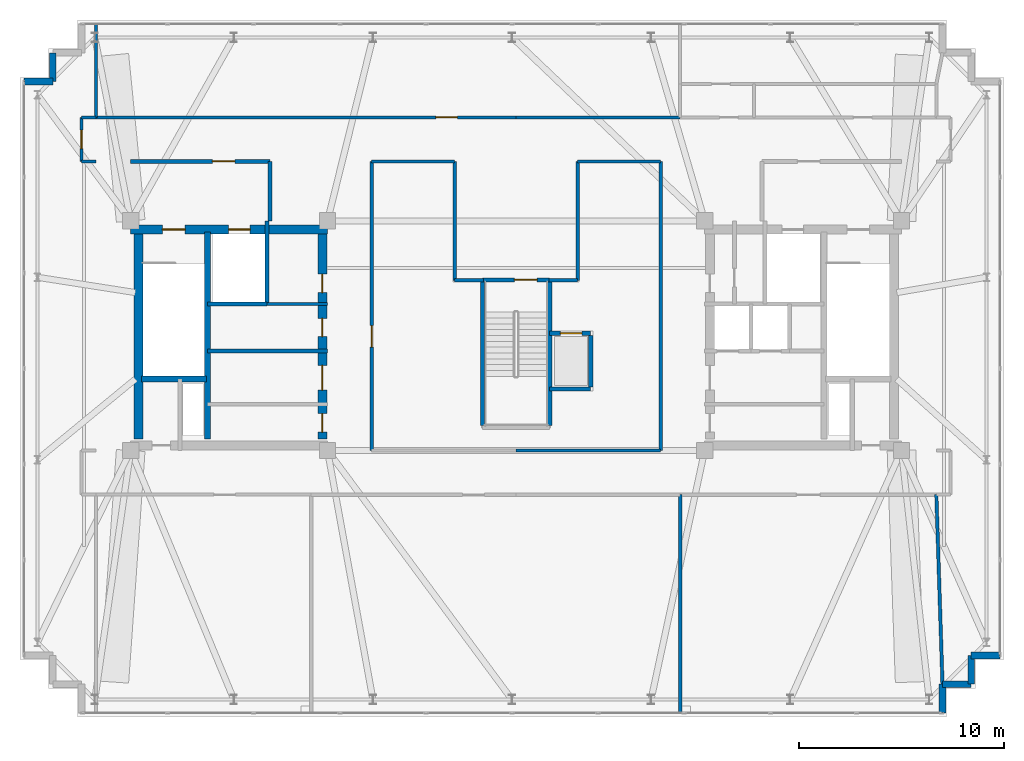
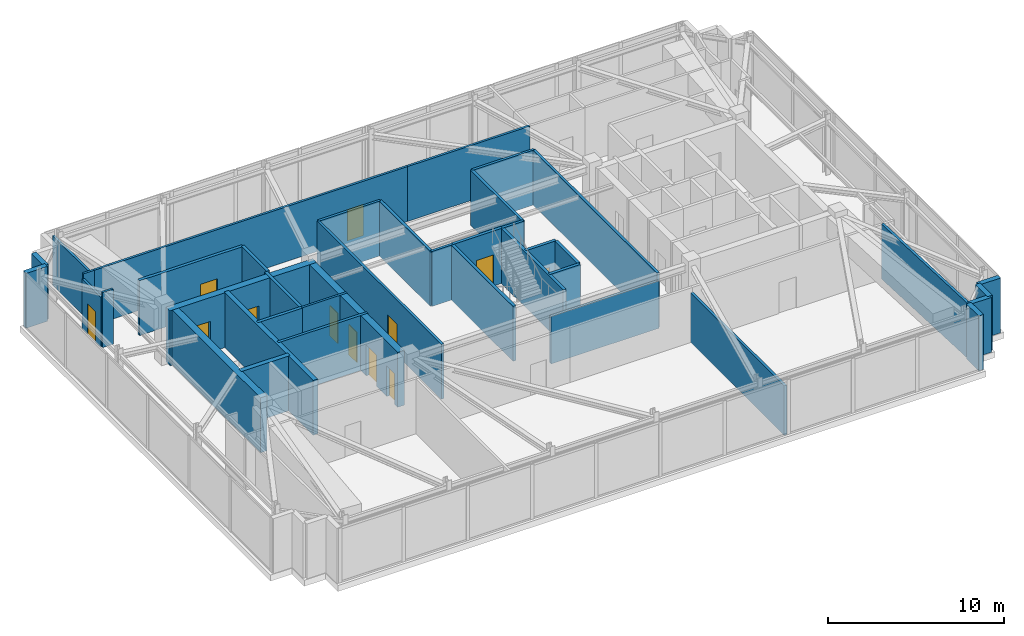
# One storey, part 22 of 27: 40 walls, 12 doors, 12 openings.
"""IFC4 building model written with IfcOpenShell, lengths in metres."""

import ifcopenshell
import ifcopenshell.guid

model = None  # the IFC model being written
_history = None  # IfcOwnerHistory: only IFC2X3 demands one
_inside = {}  # id of a spatial element -> (the spatial element, [elements in it])
_under = {}  # id of a project, library or spatial element -> (it, [spatial elements below it])
_declared = {}  # id of a project -> (the project, [libraries it declares])
_typed = {}  # id of a type object -> (the type object, [elements of that type])
_made_of = {}  # id of a material, layer set ... -> (it, [elements and type objects made of it])


def new_model(schema):
    """Start an empty IFC model of exactly this schema.

    Asked for "IFC4X3", IfcOpenShell would pick the latest addendum, in which some entities
    have other attributes; the version numbers below select the first issue.
    IFC2X3 requires an IfcOwnerHistory on every rooted entity: one is made here for all.
    """
    global model, _history
    if schema == "IFC4X3":
        model = ifcopenshell.file(schema_version=(4, 3, 0, 0))
    else:
        model = ifcopenshell.file(schema=schema)
    _inside.clear()
    _under.clear()
    _declared.clear()
    _typed.clear()
    _made_of.clear()
    _history = None
    if model.schema == "IFC2X3":
        org = make("IfcOrganization", Name="unknown")
        user = make(
            "IfcPersonAndOrganization",
            ThePerson=make("IfcPerson", FamilyName="unknown"),
            TheOrganization=org,
        )
        app = make(
            "IfcApplication",
            ApplicationDeveloper=org,
            Version="unknown",
            ApplicationFullName="unknown",
            ApplicationIdentifier="unknown",
        )
        _history = make(
            "IfcOwnerHistory",
            OwningUser=user,
            OwningApplication=app,
            ChangeAction="ADDED",
            CreationDate=0,
        )
    return model


def make(cls, **values):
    """One entity of the class cls with the attributes given. An attribute that is None is left unset."""
    return model.create_entity(
        cls, **{name: value for name, value in values.items() if value is not None}
    )


def rooted(cls, **values):
    """An entity with a GlobalId (a new one), such as an element, a storey or a relation."""
    return make(cls, GlobalId=ifcopenshell.guid.new(), OwnerHistory=_history, **values)


def si_unit(unit_type, name, prefix=None):
    """IfcSIUnit, for example si_unit("LENGTHUNIT", "METRE", prefix="MILLI")."""
    return make("IfcSIUnit", UnitType=unit_type, Prefix=prefix, Name=name)


def assignment(units):
    """IfcUnitAssignment: the units of a project."""
    return None if units is None else make("IfcUnitAssignment", Units=units)


def point(xyz):
    """IfcCartesianPoint."""
    return None if xyz is None else make("IfcCartesianPoint", Coordinates=xyz)


def direction(xyz):
    """IfcDirection."""
    return None if xyz is None else make("IfcDirection", DirectionRatios=xyz)


def frame(location, z_axis=None, x_axis=None):
    """IfcAxis2Placement3D, a coordinate frame: its origin and axes. An axis left out is left unset."""
    return make(
        "IfcAxis2Placement3D",
        Location=point(location),
        Axis=direction(z_axis),
        RefDirection=direction(x_axis),
    )


def frame_2d(location, x_axis=None):
    """IfcAxis2Placement2D, a coordinate frame in the plane: its origin and x axis."""
    return make(
        "IfcAxis2Placement2D", Location=point(location), RefDirection=direction(x_axis)
    )


def origin():
    """The frame at (0, 0, 0) with its axes left unset."""
    return frame((0.0, 0.0, 0.0))


def place(relative_to, where):
    """IfcLocalPlacement: puts the frame where relative to a parent placement (None: the world)."""
    return make(
        "IfcLocalPlacement", PlacementRelTo=relative_to, RelativePlacement=where
    )


def context(
    kind, dimensions, precision=None, world=None, true_north=None, identifier=None
):
    """IfcGeometricRepresentationContext, for example the 3D "Model" context."""
    return make(
        "IfcGeometricRepresentationContext",
        ContextIdentifier=identifier,
        ContextType=kind,
        CoordinateSpaceDimension=dimensions,
        Precision=precision,
        WorldCoordinateSystem=world,
        TrueNorth=true_north,
    )


def subcontext(parent, identifier, kind, view, scale=None):
    """IfcGeometricRepresentationSubContext, for example "Body" below "Model"."""
    return make(
        "IfcGeometricRepresentationSubContext",
        ContextIdentifier=identifier,
        ContextType=kind,
        ParentContext=parent,
        TargetScale=scale,
        TargetView=view,
    )


def project(units=None, contexts=None):
    """IfcProject with its units and contexts."""
    return rooted(
        "IfcProject",
        Name="project",
        RepresentationContexts=contexts,
        UnitsInContext=assignment(units),
    )


def spatial(cls, under=None, at=None, **own):
    """A site, building, storey or space (cls), placed at a placement, below another one or the project."""
    s = rooted(cls, ObjectPlacement=at, **own)
    if under is not None:
        _under.setdefault(under.id(), (under, []))[1].append(s)
    return s


def profile(cls, at=None, kind="AREA", **sizes):
    """A parametric profile (cls). Its sizes go by their IFC names, for example OverallWidth=200.0."""
    return make(cls, ProfileType=kind, Position=at, **sizes)


def rectangle(**sizes):
    """IfcRectangleProfileDef."""
    return profile("IfcRectangleProfileDef", **sizes)


def extrude(swept, where, along, depth):
    """IfcExtrudedAreaSolid: the profile swept, set in the frame where, extruded along a direction by depth."""
    return make(
        "IfcExtrudedAreaSolid",
        SweptArea=swept,
        Position=where,
        ExtrudedDirection=direction(along),
        Depth=depth,
    )


def shape(context_of_items, identifier, shape_type, items):
    """IfcShapeRepresentation: the items that make up one representation, for example the "Body"."""
    return make(
        "IfcShapeRepresentation",
        ContextOfItems=context_of_items,
        RepresentationIdentifier=identifier,
        RepresentationType=shape_type,
        Items=items,
    )


def material(Name=None, Category=None):
    """IfcMaterial."""
    return make("IfcMaterial", Name=Name, Category=Category)


def layer(
    of_material, thickness, ventilated=None, Name=None, Category=None, Priority=None
):
    """IfcMaterialLayer: one layer of a wall or slab, of a material (None: an air gap)."""
    return make(
        "IfcMaterialLayer",
        Material=of_material,
        LayerThickness=thickness,
        IsVentilated=ventilated,
        Name=Name,
        Category=Category,
        Priority=Priority,
    )


def layer_set(layers, Name=None):
    """IfcMaterialLayerSet."""
    return make("IfcMaterialLayerSet", MaterialLayers=layers, LayerSetName=Name)


def made_of(thing, what):
    """Note that an element or type object is made of a material, layer set ...; save() writes the relation."""
    if what is not None:
        _made_of.setdefault(what.id(), (what, []))[1].append(thing)
    return thing


def type_object(cls, material=None, **own):
    """A type object (cls), such as IfcWallType, which elements share."""
    return made_of(rooted(cls, **own), material)


def element(
    cls,
    number,
    at=None,
    inside=None,
    cuts=None,
    type_object=None,
    material=None,
    context=None,
    identifier="Body",
    shape_type=None,
    held_by="IfcProductDefinitionShape",
    body=None,
    shapes=None,
    **own,
):
    """One element of the class cls, such as IfcWall. Its Tag is "e" and its number.

    at: its placement. inside: the storey or other place that contains it. cuts: it is an
    opening in that element (IfcRelVoidsElement). A single representation is given by context,
    identifier, shape_type and body (its items); several are given by shapes. held_by: the class
    of the entity that holds the representations. save() writes the other relations.
    """
    e = rooted(cls, Tag="e%d" % number, ObjectPlacement=at, **own)
    if body is not None:
        shapes = [shape(context, identifier, shape_type, body)]
    if shapes is not None:
        e.Representation = make(held_by, Representations=shapes)
    if inside is not None:
        _inside.setdefault(inside.id(), (inside, []))[1].append(e)
    if cuts is not None:
        rooted(
            "IfcRelVoidsElement", RelatingBuildingElement=cuts, RelatedOpeningElement=e
        )
    if type_object is not None:
        _typed.setdefault(type_object.id(), (type_object, []))[1].append(e)
    return made_of(e, material)


def fill(opening, filler):
    """IfcRelFillsElement: the door or window that sits in an opening."""
    return rooted(
        "IfcRelFillsElement",
        RelatingOpeningElement=opening,
        RelatedBuildingElement=filler,
    )


def aggregate(whole, parts):
    """IfcRelAggregates: a whole, such as a stair, and the parts it consists of."""
    return rooted("IfcRelAggregates", RelatingObject=whole, RelatedObjects=parts)


def save(model, path):
    """Write the relations noted so far, then the file.

    IfcRelAggregates (storeys below a building ...), IfcRelContainedInSpatialStructure (elements
    in a storey), IfcRelDefinesByType, IfcRelAssociatesMaterial and IfcRelDeclares: one each for
    every whole, place, type object, material and project.
    """
    for whole, parts in _under.values():
        aggregate(whole, parts)
    for where, things in _inside.values():
        rooted(
            "IfcRelContainedInSpatialStructure",
            RelatedElements=things,
            RelatingStructure=where,
        )
    for kind, things in _typed.values():
        rooted("IfcRelDefinesByType", RelatedObjects=things, RelatingType=kind)
    for what, things in _made_of.values():
        rooted("IfcRelAssociatesMaterial", RelatedObjects=things, RelatingMaterial=what)
    for by, libraries in _declared.values():
        rooted("IfcRelDeclares", RelatingContext=by, RelatedDefinitions=libraries)
    model.write(path)


model = new_model("IFC4")

# Units and contexts
model_context = context("Model", 3, precision=1e-05, world=origin(), true_north=direction((0.0, 1.0)))
body_context = subcontext(model_context, "Body", "Model", "MODEL_VIEW")
ifc_project = project(units=[si_unit("LENGTHUNIT", "METRE"), si_unit("AREAUNIT", "SQUARE_METRE"), si_unit("VOLUMEUNIT", "CUBIC_METRE"), si_unit("PLANEANGLEUNIT", "RADIAN"), si_unit("MASSUNIT", "GRAM", prefix="KILO")], contexts=[model_context])

# Site, building, storey
site_placement = place(None, origin())
site = spatial("IfcSite", under=ifc_project, at=site_placement, CompositionType="ELEMENT")
building_placement = place(site_placement, origin())
building = spatial("IfcBuilding", under=site, at=building_placement, Name="Qobustan Lattice House", CompositionType="ELEMENT")
storey_placement = place(building_placement, frame((0.0, 0.0, 266.0)))
storey = spatial("IfcBuildingStorey", under=building, at=storey_placement, Name="L75", CompositionType="ELEMENT", Elevation=266.0)

# Wall, openings, doors
ifc_material_1 = material(Name="Concrete C50/60", Category="concrete")
ifc_layer_1 = layer(ifc_material_1, 0.43994140625)
ifc_layer_set_1 = layer_set([ifc_layer_1], Name="Concrete C50/60")
wall_type_1 = type_object("IfcWallType", Name="WAL-CORE-440", PredefinedType="SHEAR", material=ifc_layer_set_1)
wall_1_placement = place(storey_placement, frame((-18.800048828125, 5.179931640625, 0.0), z_axis=(0.0, 0.0, 1.0), x_axis=(1.0, 0.0, 0.0)))
wall_1 = element("IfcWall", 1, at=wall_1_placement, inside=storey, type_object=wall_type_1, Name="L75 split-core shear wall CW-N", PredefinedType="SHEAR", context=body_context, shape_type="SweptSolid", body=[
    extrude(rectangle(XDim=9.60009765625, YDim=0.43994140625, at=frame_2d((4.800048828125, 0.0))), origin(), (0.0, 0.0, 1.0), 3.800048828125),
])
opening_1_placement = place(wall_1_placement, frame((1.550048828125, 0.0, 0.0)))
opening_1 = element("IfcOpeningElement", 2, at=opening_1_placement, cuts=wall_1, Name="Opening SD-01", PredefinedType="OPENING", context=body_context, shape_type="SweptSolid", body=[
    extrude(rectangle(XDim=1.10009765625, YDim=2.14990234375, at=frame_2d((0.550048828125, 1.074951171875))), frame((0.0, 0.22998046875, 0.0), z_axis=(0.0, -1.0, 0.0), x_axis=(1.0, 0.0, 0.0)), (0.0, 0.0, 1.0), 0.4599609375),
])
opening_2_placement = place(wall_1_placement, frame((4.77490234375, 0.0, 0.0)))
opening_2 = element("IfcOpeningElement", 3, at=opening_2_placement, cuts=wall_1, Name="Opening LD-01", PredefinedType="OPENING", context=body_context, shape_type="SweptSolid", body=[
    extrude(rectangle(XDim=1.050048828125, YDim=2.10009765625, at=frame_2d((0.52490234375, 1.050048828125))), frame((0.0, 0.22998046875, 0.0), z_axis=(0.0, -1.0, 0.0), x_axis=(1.0, 0.0, 0.0)), (0.0, 0.0, 1.0), 0.4599609375),
])
ifc_material_2 = material(Name="Persian walnut timber and steel frame door", Category="steel")
door_type_1 = type_object("IfcDoorType", Name="DOR-LIFT-LD-1050x2100", OperationType="NOTDEFINED", PredefinedType="DOOR", material=ifc_material_2)
door_1_placement = place(opening_2_placement, origin())
door_1 = element("IfcDoor", 4, at=door_1_placement, inside=storey, type_object=door_type_1, Name="L75 firefighting lift FF-W landing door", OperationType="DOUBLE_DOOR_SLIDING", OverallHeight=2.10009765625, OverallWidth=1.050048828125, PredefinedType="DOOR", context=body_context, shape_type="SweptSolid", body=[
    extrude(rectangle(XDim=1.050048828125, YDim=2.10009765625, at=frame_2d((0.52490234375, 1.050048828125))), frame((0.0, 0.02490234375, 0.0), z_axis=(0.0, -1.0, 0.0), x_axis=(1.0, 0.0, 0.0)), (0.0, 0.0, 1.0), 0.050048828125),
])
fill(opening_2, door_1)
ifc_material_3 = material(Name="Persian walnut timber and steel frame door", Category="steel")
door_type_2 = type_object("IfcDoorType", Name="DOR-STAIR-FD-1100x2150", OperationType="NOTDEFINED", PredefinedType="DOOR", material=ifc_material_3)
door_2_placement = place(opening_1_placement, origin())
door_2 = element("IfcDoor", 5, at=door_2_placement, inside=storey, type_object=door_type_2, Name="L75 exit stair ST-W1 fire door", OperationType="SINGLE_SWING_LEFT", OverallHeight=2.14990234375, OverallWidth=1.10009765625, PredefinedType="DOOR", context=body_context, shape_type="SweptSolid", body=[
    extrude(rectangle(XDim=1.10009765625, YDim=2.14990234375, at=frame_2d((0.550048828125, 1.074951171875))), frame((0.0, 0.02490234375, 0.0), z_axis=(0.0, -1.0, 0.0), x_axis=(1.0, 0.0, 0.0)), (0.0, 0.0, 1.0), 0.050048828125),
])
fill(opening_1, door_2)

# Wall
wall_2_placement = place(storey_placement, frame((-18.429931640625, -5.050048828125, 0.0), z_axis=(0.0, 0.0, 1.0), x_axis=(0.0, 1.0, 0.0)))
element("IfcWall", 6, at=wall_2_placement, inside=storey, type_object=wall_type_1, Name="L75 split-core shear wall CW-W", PredefinedType="SHEAR", context=body_context, shape_type="SweptSolid", body=[
    extrude(rectangle(XDim=10.10009765625, YDim=0.43994140625, at=frame_2d((5.050048828125, 0.0))), origin(), (0.0, 0.0, 1.0), 3.800048828125),
])

# Wall, openings, doors
wall_3_placement = place(storey_placement, frame((-9.449951171875, -5.050048828125, 0.0), z_axis=(0.0, 0.0, 1.0), x_axis=(0.0, 1.0, 0.0)))
wall_3 = element("IfcWall", 7, at=wall_3_placement, inside=storey, type_object=wall_type_1, Name="L75 split-core shear wall CW-E", PredefinedType="SHEAR", context=body_context, shape_type="SweptSolid", body=[
    extrude(rectangle(XDim=10.10009765625, YDim=0.43994140625, at=frame_2d((5.050048828125, 0.0))), origin(), (0.0, 0.0, 1.0), 3.800048828125),
])
opening_3_placement = place(wall_3_placement, frame((7.14990234375, 0.0, 0.0)))
opening_3 = element("IfcOpeningElement", 8, at=opening_3_placement, cuts=wall_3, Name="Opening RD-01", PredefinedType="OPENING", context=body_context, shape_type="SweptSolid", body=[
    extrude(rectangle(XDim=0.89990234375, YDim=2.10009765625, at=frame_2d((0.449951171875, 1.050048828125))), frame((0.0, 0.22998046875, 0.0), z_axis=(0.0, -1.0, 0.0), x_axis=(1.0, 0.0, 0.0)), (0.0, 0.0, 1.0), 0.4599609375),
])
opening_4_placement = place(wall_3_placement, frame((2.39990234375, 0.0, 0.0)))
opening_4 = element("IfcOpeningElement", 9, at=opening_4_placement, cuts=wall_3, Name="Opening FD-01", PredefinedType="OPENING", context=body_context, shape_type="SweptSolid", body=[
    extrude(rectangle(XDim=1.199951171875, YDim=2.14990234375, at=frame_2d((0.60009765625, 1.074951171875))), frame((0.0, 0.22998046875, 0.0), z_axis=(0.0, -1.0, 0.0), x_axis=(1.0, 0.0, 0.0)), (0.0, 0.0, 1.0), 0.4599609375),
])
opening_5_placement = place(wall_3_placement, frame((0.35009765625, 0.0, 0.0)))
opening_5 = element("IfcOpeningElement", 10, at=opening_5_placement, cuts=wall_3, Name="Opening RD-01", PredefinedType="OPENING", context=body_context, shape_type="SweptSolid", body=[
    extrude(rectangle(XDim=0.89990234375, YDim=2.10009765625, at=frame_2d((0.449951171875, 1.050048828125))), frame((0.0, 0.22998046875, 0.0), z_axis=(0.0, -1.0, 0.0), x_axis=(1.0, 0.0, 0.0)), (0.0, 0.0, 1.0), 0.4599609375),
])
opening_6_placement = place(wall_3_placement, frame((5.0, 0.0, 0.0)))
opening_6 = element("IfcOpeningElement", 11, at=opening_6_placement, cuts=wall_3, Name="Opening RD-01", PredefinedType="OPENING", context=body_context, shape_type="SweptSolid", body=[
    extrude(rectangle(XDim=0.89990234375, YDim=2.10009765625, at=frame_2d((0.449951171875, 1.050048828125))), frame((0.0, 0.22998046875, 0.0), z_axis=(0.0, -1.0, 0.0), x_axis=(1.0, 0.0, 0.0)), (0.0, 0.0, 1.0), 0.4599609375),
])
ifc_material_4 = material(Name="Persian walnut timber and steel frame door", Category="steel")
door_type_3 = type_object("IfcDoorType", Name="DOR-LOBBY-FD-1200x2150", OperationType="NOTDEFINED", PredefinedType="DOOR", material=ifc_material_4)
door_3_placement = place(opening_4_placement, origin())
door_3 = element("IfcDoor", 12, at=door_3_placement, inside=storey, type_object=door_type_3, Name="L75 West core foyer fire door", OperationType="SINGLE_SWING_RIGHT", OverallHeight=2.14990234375, OverallWidth=1.199951171875, PredefinedType="DOOR", context=body_context, shape_type="SweptSolid", body=[
    extrude(rectangle(XDim=1.199951171875, YDim=2.14990234375, at=frame_2d((0.60009765625, 1.074951171875))), frame((0.0, 0.02490234375, 0.0), z_axis=(0.0, -1.0, 0.0), x_axis=(1.0, 0.0, 0.0)), (0.0, 0.0, 1.0), 0.050048828125),
])
fill(opening_4, door_3)
ifc_material_5 = material(Name="Persian walnut timber and steel frame door", Category="steel")
door_type_4 = type_object("IfcDoorType", Name="DOR-RISER-FD-900x2100", OperationType="NOTDEFINED", PredefinedType="DOOR", material=ifc_material_5)
door_4_placement = place(opening_3_placement, origin())
door_4 = element("IfcDoor", 13, at=door_4_placement, inside=storey, type_object=door_type_4, Name="L75 Floor tea pantry fire door", OperationType="SINGLE_SWING_LEFT", OverallHeight=2.10009765625, OverallWidth=0.89990234375, PredefinedType="DOOR", context=body_context, shape_type="SweptSolid", body=[
    extrude(rectangle(XDim=0.89990234375, YDim=2.10009765625, at=frame_2d((0.449951171875, 1.050048828125))), frame((0.0, 0.02490234375, 0.0), z_axis=(0.0, -1.0, 0.0), x_axis=(1.0, 0.0, 0.0)), (0.0, 0.0, 1.0), 0.050048828125),
])
fill(opening_3, door_4)
door_5_placement = place(opening_5_placement, origin())
door_5 = element("IfcDoor", 14, at=door_5_placement, inside=storey, type_object=door_type_4, Name="L75 Tutorial seminar salon fire door", OperationType="SINGLE_SWING_LEFT", OverallHeight=2.10009765625, OverallWidth=0.89990234375, PredefinedType="DOOR", context=body_context, shape_type="SweptSolid", body=[
    extrude(rectangle(XDim=0.89990234375, YDim=2.10009765625, at=frame_2d((0.449951171875, 1.050048828125))), frame((0.0, 0.02490234375, 0.0), z_axis=(0.0, -1.0, 0.0), x_axis=(1.0, 0.0, 0.0)), (0.0, 0.0, 1.0), 0.050048828125),
])
fill(opening_5, door_5)
door_6_placement = place(opening_6_placement, origin())
door_6 = element("IfcDoor", 15, at=door_6_placement, inside=storey, type_object=door_type_4, Name="L75 Copy and tea hub fire door", OperationType="SINGLE_SWING_RIGHT", OverallHeight=2.10009765625, OverallWidth=0.89990234375, PredefinedType="DOOR", context=body_context, shape_type="SweptSolid", body=[
    extrude(rectangle(XDim=0.89990234375, YDim=2.10009765625, at=frame_2d((0.449951171875, 1.050048828125))), frame((0.0, 0.02490234375, 0.0), z_axis=(0.0, -1.0, 0.0), x_axis=(1.0, 0.0, 0.0)), (0.0, 0.0, 1.0), 0.050048828125),
])
fill(opening_6, door_6)

# Walls
ifc_material_6 = material(Name="Concrete C50/60", Category="concrete")
ifc_layer_2 = layer(ifc_material_6, 0.280029296875)
ifc_layer_set_2 = layer_set([ifc_layer_2], Name="Concrete C50/60")
wall_type_2 = type_object("IfcWallType", Name="WAL-CORE-SPINE-280", PredefinedType="SHEAR", material=ifc_layer_set_2)
wall_4_placement = place(storey_placement, frame((-15.050048828125, -5.050048828125, 0.0), z_axis=(0.0, 0.0, 1.0), x_axis=(0.0, 1.0, 0.0)))
element("IfcWall", 16, at=wall_4_placement, inside=storey, type_object=wall_type_2, Name="L75 split-core shear wall CW-M", PredefinedType="SHEAR", context=body_context, shape_type="SweptSolid", body=[
    extrude(rectangle(XDim=10.10009765625, YDim=0.300048828125, at=frame_2d((5.050048828125, 0.0))), origin(), (0.0, 0.0, 1.0), 3.800048828125),
])
wall_5_placement = place(storey_placement, frame((-18.280029296875, -2.110107421875, 0.0), z_axis=(0.0, 0.0, 1.0), x_axis=(1.0, 0.0, 0.0)))
element("IfcWall", 17, at=wall_5_placement, inside=storey, type_object=wall_type_2, Name="L75 split-core shear wall CW-ST", PredefinedType="SHEAR", context=body_context, shape_type="SweptSolid", body=[
    extrude(rectangle(XDim=3.179931640625, YDim=0.300048828125, at=frame_2d((1.58984375, 0.0))), origin(), (0.0, 0.0, 1.0), 3.800048828125),
])
ifc_material_7 = material(Name="Precast concrete C40/50", Category="concrete")
ifc_layer_3 = layer(ifc_material_7, 0.320068359375)
ifc_layer_set_3 = layer_set([ifc_layer_3], Name="Precast concrete C40/50")
wall_type_3 = type_object("IfcWallType", Name="WAL-EXT-STONE-320", PredefinedType="SOLIDWALL", material=ifc_layer_set_3)
wall_6_placement = place(storey_placement, frame((-24.0, 12.39990234375, 0.0), z_axis=(0.0, 0.0, 1.0), x_axis=(1.0, 0.0, 0.0)))
element("IfcWall", 18, at=wall_6_placement, inside=storey, type_object=wall_type_3, Name="L75 exterior limestone-clad wall 6", PredefinedType="SOLIDWALL", context=body_context, shape_type="SweptSolid", body=[
    extrude(rectangle(XDim=1.39990234375, YDim=0.320068359375, at=frame_2d((0.699951171875, 0.0))), origin(), (0.0, 0.0, 1.0), 3.800048828125),
])
for number, where, z_axis, x_axis, name in (
    (19, (-22.60009765625, 12.39990234375, 0.0), (0.0, 0.0, 1.0), (0.0, 1.0, 0.0), "L75 exterior limestone-clad wall 7"),
    (20, (23.60009765625, -15.60009765625, 0.0), (0.0, 0.0, 1.0), (-1.0, 0.0, 0.0), "L75 exterior limestone-clad wall 16"),
):
    element("IfcWall", number, at=place(storey_placement, frame(where, z_axis=z_axis, x_axis=x_axis)), inside=storey, type_object=wall_type_3, Name=name, PredefinedType="SOLIDWALL", context=body_context, shape_type="SweptSolid", body=[
        extrude(rectangle(XDim=1.400146484375, YDim=0.320068359375, at=frame_2d((0.7001953125, 0.0))), origin(), (0.0, 0.0, 1.0), 3.800048828125),
    ])
for number, where, z_axis, x_axis, name in (
    (21, (22.199951171875, -15.60009765625, 0.0), (0.0, 0.0, 1.0), (0.0, -1.0, 0.0), "L75 exterior limestone-clad wall 17"),
    (22, (22.199951171875, -17.0, 0.0), (0.0, 0.0, 1.0), (-1.0, 0.0, 0.0), "L75 exterior limestone-clad wall 18"),
    (23, (20.800048828125, -17.0, 0.0), (0.0, 0.0, 1.0), (0.0, -1.0, 0.0), "L75 exterior limestone-clad wall 19"),
):
    element("IfcWall", number, at=place(storey_placement, frame(where, z_axis=z_axis, x_axis=x_axis)), inside=storey, type_object=wall_type_3, Name=name, PredefinedType="SOLIDWALL", context=body_context, shape_type="SweptSolid", body=[
        extrude(rectangle(XDim=1.39990234375, YDim=0.320068359375, at=frame_2d((0.699951171875, 0.0))), origin(), (0.0, 0.0, 1.0), 3.800048828125),
    ])
ifc_material_8 = material(Name="Gypsum fireboard acoustic partition", Category="gypsum")
ifc_layer_4 = layer(ifc_material_8, 0.179931640625)
ifc_layer_set_4 = layer_set([ifc_layer_4], Name="Gypsum fireboard acoustic partition")
wall_type_4 = type_object("IfcWallType", Name="WAL-FIRE-180", PredefinedType="PARTITIONING", material=ifc_layer_set_4)
wall_7_placement = place(storey_placement, frame((-9.199951171875, -0.75, 0.0), z_axis=(0.0, 0.0, 1.0), x_axis=(-1.0, 0.0, 0.0)))
element("IfcWall", 24, at=wall_7_placement, inside=storey, type_object=wall_type_4, Name="L75 interior partition 8", PredefinedType="PARTITIONING", context=body_context, shape_type="SweptSolid", body=[
    extrude(rectangle(XDim=5.85009765625, YDim=0.179931640625, at=frame_2d((2.925048828125, 0.0))), origin(), (0.0, 0.0, 1.0), 3.800048828125),
])
for number, where, z_axis, x_axis, name in (
    (25, (3.0, 8.5, 0.0), (0.0, 0.0, 1.0), (0.0, -1.0, 0.0), "L75 interior partition 52"),
    (26, (-3.0, 2.699951171875, 0.0), (0.0, 0.0, 1.0), (0.0, 1.0, 0.0), "L75 interior partition 53"),
):
    element("IfcWall", number, at=place(storey_placement, frame(where, z_axis=z_axis, x_axis=x_axis)), inside=storey, type_object=wall_type_4, Name=name, PredefinedType="PARTITIONING", context=body_context, shape_type="SweptSolid", body=[
        extrude(rectangle(XDim=5.800048828125, YDim=0.179931640625, at=frame_2d((2.89990234375, 0.0))), origin(), (0.0, 0.0, 1.0), 3.800048828125),
    ])
for number, where, z_axis, x_axis, name in (
    (27, (3.0, 2.699951171875, 0.0), (0.0, 0.0, 1.0), (-1.0, 0.0, 0.0), "L75 interior partition 54"),
    (28, (-1.60009765625, 2.699951171875, 0.0), (0.0, 0.0, 1.0), (-1.0, 0.0, 0.0), "L75 interior partition 55"),
):
    element("IfcWall", number, at=place(storey_placement, frame(where, z_axis=z_axis, x_axis=x_axis)), inside=storey, type_object=wall_type_4, Name=name, PredefinedType="PARTITIONING", context=body_context, shape_type="SweptSolid", body=[
        extrude(rectangle(XDim=1.39990234375, YDim=0.179931640625, at=frame_2d((0.699951171875, 0.0))), origin(), (0.0, 0.0, 1.0), 3.800048828125),
    ])
ifc_material_9 = material(Name="Acoustic twin-stud gypsum partition", Category="gypsum")
ifc_layer_5 = layer(ifc_material_9, 0.14990234375)
ifc_layer_set_5 = layer_set([ifc_layer_5], Name="Acoustic twin-stud gypsum partition")
wall_type_5 = type_object("IfcWallType", Name="WAL-PART-150", PredefinedType="PARTITIONING", material=ifc_layer_set_5)
wall_8_placement = place(storey_placement, frame((-12.14990234375, 1.550048828125, 0.0), z_axis=(0.0, 0.0, 1.0), x_axis=(1.0, 0.0, 0.0)))
element("IfcWall", 29, at=wall_8_placement, inside=storey, type_object=wall_type_5, Name="L75 interior partition 5", PredefinedType="PARTITIONING", context=body_context, shape_type="SweptSolid", body=[
    extrude(rectangle(XDim=2.949951171875, YDim=0.14990234375, at=frame_2d((1.47509765625, 0.0))), origin(), (0.0, 0.0, 1.0), 3.800048828125),
])

# Wall, opening, door
wall_9_placement = place(storey_placement, frame((-21.199951171875, 8.5, 0.0), z_axis=(0.0, 0.0, 1.0), x_axis=(0.0, 1.0, 0.0)))
wall_9 = element("IfcWall", 30, at=wall_9_placement, inside=storey, type_object=wall_type_5, Name="L75 interior partition 27", PredefinedType="PARTITIONING", context=body_context, shape_type="SweptSolid", body=[
    extrude(rectangle(XDim=2.14990234375, YDim=0.14990234375, at=frame_2d((1.074951171875, 0.0))), origin(), (0.0, 0.0, 1.0), 3.455078125),
])
opening_7_placement = place(wall_9_placement, frame((0.625, 0.0, 0.0)))
opening_7 = element("IfcOpeningElement", 31, at=opening_7_placement, cuts=wall_9, Name="Opening WD-01", PredefinedType="OPENING", context=body_context, shape_type="SweptSolid", body=[
    extrude(rectangle(XDim=0.89990234375, YDim=2.10009765625, at=frame_2d((0.449951171875, 1.050048828125))), frame((0.0, 0.0849609375, 0.0), z_axis=(0.0, -1.0, 0.0), x_axis=(1.0, 0.0, 0.0)), (0.0, 0.0, 1.0), 0.169921875),
])
ifc_material_10 = material(Name="Persian walnut timber and steel frame door", Category="steel")
door_type_5 = type_object("IfcDoorType", Name="DOR-WET-900x2100", OperationType="NOTDEFINED", PredefinedType="DOOR", material=ifc_material_10)
door_7_placement = place(opening_7_placement, origin())
door_7 = element("IfcDoor", 32, at=door_7_placement, inside=storey, type_object=door_type_5, Name="L75 North-west floor corridor to West Baku Bay quiet study room door", OperationType="SINGLE_SWING_RIGHT", OverallHeight=2.10009765625, OverallWidth=0.89990234375, PredefinedType="DOOR", context=body_context, shape_type="SweptSolid", body=[
    extrude(rectangle(XDim=0.89990234375, YDim=2.10009765625, at=frame_2d((0.449951171875, 1.050048828125))), frame((0.0, 0.02490234375, 0.0), z_axis=(0.0, -1.0, 0.0), x_axis=(1.0, 0.0, 0.0)), (0.0, 0.0, 1.0), 0.050048828125),
])
fill(opening_7, door_7)

# Walls
for number, where, z_axis, x_axis, name in (
    (33, (-20.5, 8.5, 0.0), (0.0, 0.0, 1.0), (-1.0, 0.0, 0.0), "L75 interior partition 28"),
    (34, (-21.199951171875, 10.64990234375, 0.0), (0.0, 0.0, 1.0), (1.0, 0.0, 0.0), "L75 interior partition 29"),
):
    element("IfcWall", number, at=place(storey_placement, frame(where, z_axis=z_axis, x_axis=x_axis)), inside=storey, type_object=wall_type_5, Name=name, PredefinedType="PARTITIONING", context=body_context, shape_type="SweptSolid", body=[
        extrude(rectangle(XDim=0.699951171875, YDim=0.14990234375, at=frame_2d((0.35009765625, 0.0))), origin(), (0.0, 0.0, 1.0), 3.800048828125),
    ])

# Wall, opening, door
wall_10_placement = place(storey_placement, frame((-20.5, 10.64990234375, 0.0), z_axis=(0.0, 0.0, 1.0), x_axis=(1.0, 0.0, 0.0)))
wall_10 = element("IfcWall", 35, at=wall_10_placement, inside=storey, type_object=wall_type_5, Name="L75 interior partition 30", PredefinedType="PARTITIONING", context=body_context, shape_type="SweptSolid", body=[
    extrude(rectangle(XDim=20.5, YDim=0.14990234375, at=frame_2d((10.25, 0.0))), origin(), (0.0, 0.0, 1.0), 3.800048828125),
])
opening_8_placement = place(wall_10_placement, frame((16.583740234375, 0.0, 0.0)))
opening_8 = element("IfcOpeningElement", 36, at=opening_8_placement, cuts=wall_10, Name="Opening ID-02", PredefinedType="OPENING", context=body_context, shape_type="SweptSolid", body=[
    extrude(rectangle(XDim=1.050048828125, YDim=2.14990234375, at=frame_2d((0.52490234375, 1.074951171875))), frame((0.0, 0.0849609375, 0.0), z_axis=(0.0, -1.0, 0.0), x_axis=(1.0, 0.0, 0.0)), (0.0, 0.0, 1.0), 0.169921875),
])
ifc_material_11 = material(Name="Persian walnut timber and steel frame door", Category="steel")
door_type_6 = type_object("IfcDoorType", Name="DOR-STUDY-1050x2150", OperationType="NOTDEFINED", PredefinedType="DOOR", material=ifc_material_11)
door_8_placement = place(opening_8_placement, origin())
door_8 = element("IfcDoor", 37, at=door_8_placement, inside=storey, type_object=door_type_6, Name="L75 North-west floor corridor to North Caucasus reading room door", OperationType="SINGLE_SWING_LEFT", OverallHeight=2.14990234375, OverallWidth=1.050048828125, PredefinedType="DOOR", context=body_context, shape_type="SweptSolid", body=[
    extrude(rectangle(XDim=1.050048828125, YDim=2.14990234375, at=frame_2d((0.52490234375, 1.074951171875))), frame((0.0, 0.02490234375, 0.0), z_axis=(0.0, -1.0, 0.0), x_axis=(1.0, 0.0, 0.0)), (0.0, 0.0, 1.0), 0.050048828125),
])
fill(opening_8, door_8)

# Walls
wall_11_placement = place(storey_placement, frame((0.0, 10.64990234375, 0.0), z_axis=(0.0, 0.0, 1.0), x_axis=(1.0, 0.0, 0.0)))
element("IfcWall", 38, at=wall_11_placement, inside=storey, type_object=wall_type_5, Name="L75 interior partition 35", PredefinedType="PARTITIONING", context=body_context, shape_type="SweptSolid", body=[
    extrude(rectangle(XDim=8.0, YDim=0.14990234375, at=frame_2d((4.0, 0.0))), origin(), (0.0, 0.0, 1.0), 3.800048828125),
])
wall_12_placement = place(storey_placement, frame((-20.5, 15.199951171875, 0.0), z_axis=(0.0, 0.0, 1.0), x_axis=(0.0, -1.0, 0.0)))
element("IfcWall", 39, at=wall_12_placement, inside=storey, type_object=wall_type_5, Name="L75 interior partition 60", PredefinedType="PARTITIONING", context=body_context, shape_type="SweptSolid", body=[
    extrude(rectangle(XDim=4.550048828125, YDim=0.14990234375, at=frame_2d((2.27490234375, 0.0))), origin(), (0.0, 0.0, 1.0), 3.425048828125),
])
ifc_material_12 = material(Name="High-mass acoustic twin-stud partition", Category="gypsum")
ifc_layer_6 = layer(ifc_material_12, 0.1650390625)
ifc_layer_set_6 = layer_set([ifc_layer_6], Name="High-mass acoustic twin-stud partition")
wall_type_6 = type_object("IfcWallType", Name="WAL-PART-165", PredefinedType="PARTITIONING", material=ifc_layer_set_6)
for number, where, z_axis, x_axis, name in (
    (40, (-3.0, 8.5, 0.0), (0.0, 0.0, 1.0), (-1.0, 0.0, 0.0), "L75 interior partition 26"),
    (41, (7.050048828125, 8.5, 0.0), (0.0, 0.0, 1.0), (-1.0, 0.0, 0.0), "L75 interior partition 31"),
):
    element("IfcWall", number, at=place(storey_placement, frame(where, z_axis=z_axis, x_axis=x_axis)), inside=storey, type_object=wall_type_6, Name=name, PredefinedType="PARTITIONING", context=body_context, shape_type="SweptSolid", body=[
        extrude(rectangle(XDim=4.050048828125, YDim=0.1650390625, at=frame_2d((2.02490234375, 0.0))), origin(), (0.0, 0.0, 1.0), 3.800048828125),
    ])
wall_13_placement = place(storey_placement, frame((0.0, -5.60009765625, 0.0), z_axis=(0.0, 0.0, 1.0), x_axis=(1.0, 0.0, 0.0)))
element("IfcWall", 42, at=wall_13_placement, inside=storey, type_object=wall_type_6, Name="L75 interior partition 44", PredefinedType="PARTITIONING", context=body_context, shape_type="SweptSolid", body=[
    extrude(rectangle(XDim=7.050048828125, YDim=0.1650390625, at=frame_2d((3.52490234375, 0.0))), origin(), (0.0, 0.0, 1.0), 3.284912109375),
])

# Wall, opening, door
wall_14_placement = place(storey_placement, frame((-7.050048828125, 8.5, 0.0), z_axis=(0.0, 0.0, 1.0), x_axis=(0.0, -1.0, 0.0)))
wall_14 = element("IfcWall", 43, at=wall_14_placement, inside=storey, type_object=wall_type_6, Name="L75 interior partition 50", PredefinedType="PARTITIONING", context=body_context, shape_type="SweptSolid", body=[
    extrude(rectangle(XDim=14.10009765625, YDim=0.1650390625, at=frame_2d((7.050048828125, 0.0))), origin(), (0.0, 0.0, 1.0), 3.800048828125),
])
opening_9_placement = place(wall_14_placement, frame((8.01123046875, 0.0, 0.0)))
opening_9 = element("IfcOpeningElement", 44, at=opening_9_placement, cuts=wall_14, Name="Opening ID-02", PredefinedType="OPENING", context=body_context, shape_type="SweptSolid", body=[
    extrude(rectangle(XDim=1.050048828125, YDim=2.14990234375, at=frame_2d((0.52490234375, 1.074951171875))), frame((0.0, 0.092529296875, 0.0), z_axis=(0.0, -1.0, 0.0), x_axis=(1.0, 0.0, 0.0)), (0.0, 0.0, 1.0), 0.18505859375),
])
door_9_placement = place(opening_9_placement, origin())
door_9 = element("IfcDoor", 45, at=door_9_placement, inside=storey, type_object=door_type_6, Name="L75 West floor link corridor to Absheron observatory exhibition salon door", OperationType="SINGLE_SWING_RIGHT", OverallHeight=2.14990234375, OverallWidth=1.050048828125, PredefinedType="DOOR", context=body_context, shape_type="SweptSolid", body=[
    extrude(rectangle(XDim=1.050048828125, YDim=2.14990234375, at=frame_2d((0.52490234375, 1.074951171875))), frame((0.0, 0.02490234375, 0.0), z_axis=(0.0, -1.0, 0.0), x_axis=(1.0, 0.0, 0.0)), (0.0, 0.0, 1.0), 0.050048828125),
])
fill(opening_9, door_9)

# Walls
wall_15_placement = place(storey_placement, frame((7.050048828125, -5.60009765625, 0.0), z_axis=(0.0, 0.0, 1.0), x_axis=(0.0, 1.0, 0.0)))
element("IfcWall", 46, at=wall_15_placement, inside=storey, type_object=wall_type_6, Name="L75 interior partition 51", PredefinedType="PARTITIONING", context=body_context, shape_type="SweptSolid", body=[
    extrude(rectangle(XDim=14.10009765625, YDim=0.1650390625, at=frame_2d((7.050048828125, 0.0))), origin(), (0.0, 0.0, 1.0), 3.800048828125),
])
wall_16_placement = place(storey_placement, frame((8.0, -7.75, 0.0), z_axis=(0.0, 0.0, 1.0), x_axis=(0.0, -1.0, 0.0)))
element("IfcWall", 47, at=wall_16_placement, inside=storey, type_object=wall_type_6, Name="L75 interior partition 57", PredefinedType="PARTITIONING", context=body_context, shape_type="SweptSolid", body=[
    extrude(rectangle(XDim=10.64990234375, YDim=0.1650390625, at=frame_2d((5.324951171875, 0.0))), origin(), (0.0, 0.0, 1.0), 3.425048828125),
])
wall_17_placement = place(storey_placement, frame((20.5, -7.75, 0.0), z_axis=(0.0, 0.0, 1.0), x_axis=(0.032420659042, -0.99947431226, 0.0)))
element("IfcWall", 48, at=wall_17_placement, inside=storey, type_object=wall_type_6, Name="L75 interior partition 59", PredefinedType="PARTITIONING", context=body_context, shape_type="SweptSolid", body=[
    extrude(rectangle(XDim=9.2548828125, YDim=0.1650390625, at=frame_2d((4.62744140625, 0.0))), origin(), (0.0, 0.0, 1.0), 3.800048828125),
])

# Wall, opening, door
ifc_material_13 = material(Name="Two-hour gypsum fireboard acoustic partition", Category="gypsum")
ifc_layer_7 = layer(ifc_material_13, 0.199951171875)
ifc_layer_set_7 = layer_set([ifc_layer_7], Name="Two-hour gypsum fireboard acoustic partition")
wall_type_7 = type_object("IfcWallType", Name="WAL-PROT-200", PredefinedType="PARTITIONING", material=ifc_layer_set_7)
wall_18_placement = place(storey_placement, frame((-12.0, 8.5, 0.0), z_axis=(0.0, 0.0, 1.0), x_axis=(-1.0, 0.0, 0.0)))
wall_18 = element("IfcWall", 49, at=wall_18_placement, inside=storey, type_object=wall_type_7, Name="L75 interior partition 3", PredefinedType="PARTITIONING", context=body_context, shape_type="SweptSolid", body=[
    extrude(rectangle(XDim=6.800048828125, YDim=0.199951171875, at=frame_2d((3.39990234375, 0.0))), origin(), (0.0, 0.0, 1.0), 3.800048828125),
])
opening_10_placement = place(wall_18_placement, frame((1.715087890625, 0.0, 0.0)))
opening_10 = element("IfcOpeningElement", 50, at=opening_10_placement, cuts=wall_18, Name="Opening SD-01", PredefinedType="OPENING", context=body_context, shape_type="SweptSolid", body=[
    extrude(rectangle(XDim=1.10009765625, YDim=2.14990234375, at=frame_2d((0.550048828125, 1.074951171875))), frame((0.0, 0.10986328125, 0.0), z_axis=(0.0, -1.0, 0.0), x_axis=(1.0, 0.0, 0.0)), (0.0, 0.0, 1.0), 0.219970703125),
])
door_10_placement = place(opening_10_placement, origin())
door_10 = element("IfcDoor", 51, at=door_10_placement, inside=storey, type_object=door_type_2, Name="L75 West firefighting lift lobby to North-west floor corridor door", OperationType="SINGLE_SWING_RIGHT", OverallHeight=2.14990234375, OverallWidth=1.10009765625, PredefinedType="DOOR", context=body_context, shape_type="SweptSolid", body=[
    extrude(rectangle(XDim=1.10009765625, YDim=2.14990234375, at=frame_2d((0.550048828125, 1.074951171875))), frame((0.0, 0.02490234375, 0.0), z_axis=(0.0, -1.0, 0.0), x_axis=(1.0, 0.0, 0.0)), (0.0, 0.0, 1.0), 0.050048828125),
])
fill(opening_10, door_10)

# Walls
wall_19_placement = place(storey_placement, frame((-12.0, 5.60009765625, 0.0), z_axis=(0.0, 0.0, 1.0), x_axis=(0.0, 1.0, 0.0)))
element("IfcWall", 52, at=wall_19_placement, inside=storey, type_object=wall_type_7, Name="L75 interior partition 4", PredefinedType="PARTITIONING", context=body_context, shape_type="SweptSolid", body=[
    extrude(rectangle(XDim=2.89990234375, YDim=0.199951171875, at=frame_2d((1.449951171875, 0.0))), origin(), (0.0, 0.0, 1.0), 3.800048828125),
])
ifc_material_14 = material(Name="Concrete C40/50", Category="concrete")
ifc_layer_8 = layer(ifc_material_14, 0.199951171875)
ifc_layer_set_8 = layer_set([ifc_layer_8], Name="Concrete C40/50")
wall_type_8 = type_object("IfcWallType", Name="WAL-SHAFT-200", PredefinedType="PARTITIONING", material=ifc_layer_set_8)
wall_20_placement = place(storey_placement, frame((-12.14990234375, 1.550048828125, 0.0), z_axis=(0.0, 0.0, 1.0), x_axis=(0.0, 1.0, 0.0)))
element("IfcWall", 53, at=wall_20_placement, inside=storey, type_object=wall_type_8, Name="L75 interior partition 2", PredefinedType="PARTITIONING", context=body_context, shape_type="SweptSolid", body=[
    extrude(rectangle(XDim=4.050048828125, YDim=0.199951171875, at=frame_2d((2.02490234375, 0.0))), origin(), (0.0, 0.0, 1.0), 3.800048828125),
])
wall_21_placement = place(storey_placement, frame((-15.050048828125, 1.550048828125, 0.0), z_axis=(0.0, 0.0, 1.0), x_axis=(1.0, 0.0, 0.0)))
element("IfcWall", 54, at=wall_21_placement, inside=storey, type_object=wall_type_8, Name="L75 interior partition 68", PredefinedType="PARTITIONING", context=body_context, shape_type="SweptSolid", body=[
    extrude(rectangle(XDim=2.900146484375, YDim=0.199951171875, at=frame_2d((1.4501953125, 0.0))), origin(), (0.0, 0.0, 1.0), 3.800048828125),
])

# Wall, opening, door
ifc_material_15 = material(Name="Concrete C40/50", Category="concrete")
ifc_layer_9 = layer(ifc_material_15, 0.199951171875)
ifc_layer_set_9 = layer_set([ifc_layer_9], Name="Concrete C40/50")
wall_type_9 = type_object("IfcWallType", Name="WAL-SHAFT-LB-200", PredefinedType="SHEAR", material=ifc_layer_set_9)
wall_22_placement = place(storey_placement, frame((-1.639892578125, 2.719970703125, 0.0), z_axis=(0.0, 0.0, 1.0), x_axis=(1.0, 0.0, 0.0)))
wall_22 = element("IfcWall", 55, at=wall_22_placement, inside=storey, type_object=wall_type_9, Name="L75 crown stair ST-C1 RC shaft wall STC-N", PredefinedType="SHEAR", context=body_context, shape_type="SweptSolid", body=[
    extrude(rectangle(XDim=3.27978515625, YDim=0.199951171875, at=frame_2d((1.639892578125, 0.0))), origin(), (0.0, 0.0, 1.0), 3.800048828125),
])
opening_11_placement = place(wall_22_placement, frame((1.56005859375, 0.0, 0.0)))
opening_11 = element("IfcOpeningElement", 56, at=opening_11_placement, cuts=wall_22, Name="Opening SD-01", PredefinedType="OPENING", context=body_context, shape_type="SweptSolid", body=[
    extrude(rectangle(XDim=1.10009765625, YDim=2.14990234375, at=frame_2d((0.550048828125, 1.074951171875))), frame((0.0, 0.10986328125, 0.0), z_axis=(0.0, -1.0, 0.0), x_axis=(1.0, 0.0, 0.0)), (0.0, 0.0, 1.0), 0.219970703125),
])
door_11_placement = place(opening_11_placement, origin())
door_11 = element("IfcDoor", 57, at=door_11_placement, inside=storey, type_object=door_type_2, Name="L75 crown access stair ST-C1 fire door", OperationType="SINGLE_SWING_LEFT", OverallHeight=2.14990234375, OverallWidth=1.10009765625, PredefinedType="DOOR", context=body_context, shape_type="SweptSolid", body=[
    extrude(rectangle(XDim=1.10009765625, YDim=2.14990234375, at=frame_2d((0.550048828125, 1.074951171875))), frame((0.0, 0.02490234375, 0.0), z_axis=(0.0, -1.0, 0.0), x_axis=(1.0, 0.0, 0.0)), (0.0, 0.0, 1.0), 0.050048828125),
])
fill(opening_11, door_11)

# Walls
for number, where, z_axis, x_axis, name in (
    (58, (-1.639892578125, -4.3798828125, 0.0), (0.0, 0.0, 1.0), (0.0, 1.0, 0.0), "L75 crown stair ST-C1 RC shaft wall STC-W"),
    (59, (1.639892578125, -4.3798828125, 0.0), (0.0, 0.0, 1.0), (0.0, 1.0, 0.0), "L75 crown stair ST-C1 RC shaft wall STC-E"),
):
    element("IfcWall", number, at=place(storey_placement, frame(where, z_axis=z_axis, x_axis=x_axis)), inside=storey, type_object=wall_type_9, Name=name, PredefinedType="SHEAR", context=body_context, shape_type="SweptSolid", body=[
        extrude(rectangle(XDim=7.0, YDim=0.199951171875, at=frame_2d((3.5, 0.0))), origin(), (0.0, 0.0, 1.0), 3.800048828125),
    ])

# Wall, opening, door
wall_23_placement = place(storey_placement, frame((1.639892578125, 0.1201171875, 0.0), z_axis=(0.0, 0.0, 1.0), x_axis=(1.0, 0.0, 0.0)))
wall_23 = element("IfcWall", 60, at=wall_23_placement, inside=storey, type_object=wall_type_9, Name="L75 crown firefighting lift RC shaft wall FFC-N", PredefinedType="SHEAR", context=body_context, shape_type="SweptSolid", body=[
    extrude(rectangle(XDim=2.0, YDim=0.199951171875, at=frame_2d((1.0, 0.0))), origin(), (0.0, 0.0, 1.0), 3.800048828125),
])
opening_12_placement = place(wall_23_placement, frame((0.514892578125, 0.0, 0.0)))
opening_12 = element("IfcOpeningElement", 61, at=opening_12_placement, cuts=wall_23, Name="Opening LD-01", PredefinedType="OPENING", context=body_context, shape_type="SweptSolid", body=[
    extrude(rectangle(XDim=1.050048828125, YDim=2.10009765625, at=frame_2d((0.52490234375, 1.050048828125))), frame((0.0, 0.10986328125, 0.0), z_axis=(0.0, -1.0, 0.0), x_axis=(1.0, 0.0, 0.0)), (0.0, 0.0, 1.0), 0.219970703125),
])
door_12_placement = place(opening_12_placement, origin())
door_12 = element("IfcDoor", 62, at=door_12_placement, inside=storey, type_object=door_type_1, Name="L75 crown firefighting lift FF-C landing door", OperationType="DOUBLE_DOOR_SLIDING", OverallHeight=2.10009765625, OverallWidth=1.050048828125, PredefinedType="DOOR", context=body_context, shape_type="SweptSolid", body=[
    extrude(rectangle(XDim=1.050048828125, YDim=2.10009765625, at=frame_2d((0.52490234375, 1.050048828125))), frame((0.0, 0.02490234375, 0.0), z_axis=(0.0, -1.0, 0.0), x_axis=(1.0, 0.0, 0.0)), (0.0, 0.0, 1.0), 0.050048828125),
])
fill(opening_12, door_12)

# Walls
wall_24_placement = place(storey_placement, frame((1.639892578125, -2.60009765625, 0.0), z_axis=(0.0, 0.0, 1.0), x_axis=(1.0, 0.0, 0.0)))
element("IfcWall", 63, at=wall_24_placement, inside=storey, type_object=wall_type_9, Name="L75 crown firefighting lift RC shaft wall FFC-S", PredefinedType="SHEAR", context=body_context, shape_type="SweptSolid", body=[
    extrude(rectangle(XDim=2.0, YDim=0.199951171875, at=frame_2d((1.0, 0.0))), origin(), (0.0, 0.0, 1.0), 3.800048828125),
])
wall_25_placement = place(storey_placement, frame((3.639892578125, -2.5, 0.0), z_axis=(0.0, 0.0, 1.0), x_axis=(0.0, 1.0, 0.0)))
element("IfcWall", 64, at=wall_25_placement, inside=storey, type_object=wall_type_9, Name="L75 crown firefighting lift RC shaft wall FFC-E", PredefinedType="SHEAR", context=body_context, shape_type="SweptSolid", body=[
    extrude(rectangle(XDim=2.52001953125, YDim=0.199951171875, at=frame_2d((1.260009765625, 0.0))), origin(), (0.0, 0.0, 1.0), 3.800048828125),
])

save(model, "model.ifc")
